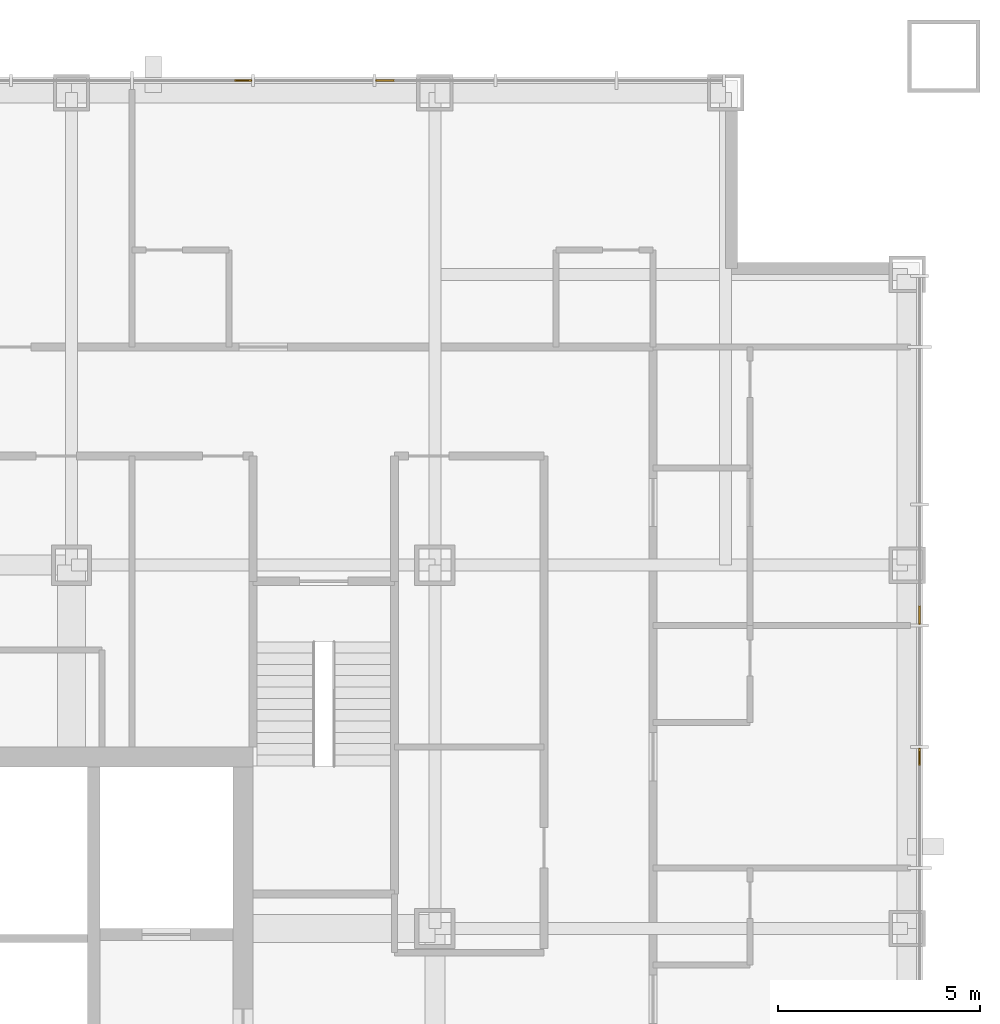
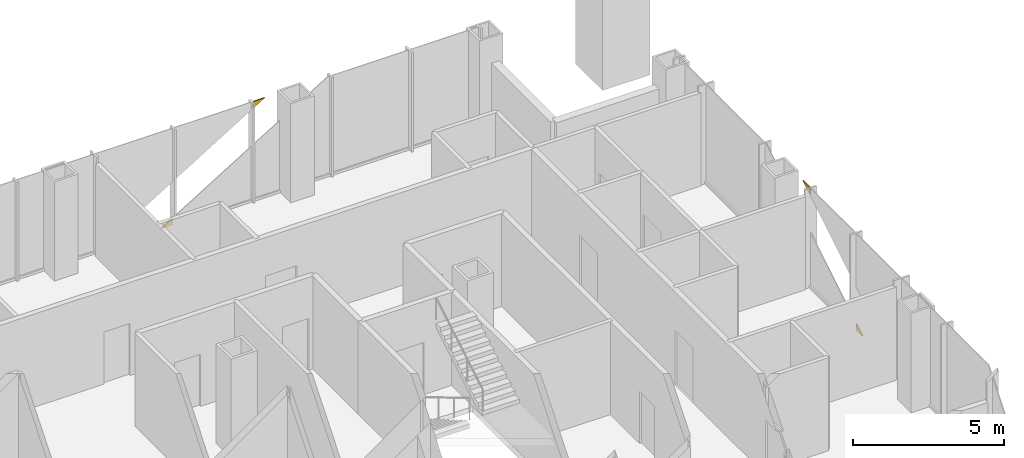
# One storey, part 17 of 17: 4 coverings.
"""IFC4 building model written with IfcOpenShell, lengths in metres."""

from ifc_helpers import new_model, si_unit, direction, frame, origin, place, context, subcontext, project, spatial, polyline, outline, extrude, material, layer, layer_set, type_object, element, save


model = new_model("IFC4")

# Units and contexts
model_context = context("Model", 3, precision=1e-05, world=origin(), true_north=direction((0.0, 1.0)))
body_context = subcontext(model_context, "Body", "Model", "MODEL_VIEW")
ifc_project = project(units=[si_unit("LENGTHUNIT", "METRE"), si_unit("AREAUNIT", "SQUARE_METRE"), si_unit("VOLUMEUNIT", "CUBIC_METRE"), si_unit("PLANEANGLEUNIT", "RADIAN"), si_unit("MASSUNIT", "GRAM", prefix="KILO")], contexts=[model_context])

# Site, building, storey
site_placement = place(None, origin())
site = spatial("IfcSite", under=ifc_project, at=site_placement, CompositionType="ELEMENT")
building_placement = place(site_placement, origin())
building = spatial("IfcBuilding", under=site, at=building_placement, Name="Malebo Sky Hospital", CompositionType="ELEMENT")
storey_placement = place(building_placement, frame((0.0, 0.0, 51.0)))
storey = spatial("IfcBuildingStorey", under=building, at=storey_placement, Name="L11", CompositionType="ELEMENT", Elevation=51.0)

# Coverings
ifc_material = material(Name="Anodised aluminium, natural silver insulated infill panel", Category="aluminium")
ifc_layer = layer(ifc_material, 0.0400390625)
ifc_layer_set = layer_set([ifc_layer], Name="BRACE INFILL PANEL 40")
covering_type = type_object("IfcCoveringType", Name="BRACE INFILL PANEL 40", PredefinedType="CLADDING", material=ifc_layer_set)
covering_1_placement = place(storey_placement, frame((68.75, 87.5, 0.10009765625), z_axis=(0.0, 0.0, 1.0), x_axis=(1.0, 0.0, 0.0)))
element("IfcCovering", 1, at=covering_1_placement, inside=storey, type_object=covering_type, Name="Brace infill panel 10.1", PredefinedType="CLADDING", context=body_context, shape_type="SweptSolid", body=[
    extrude(outline(polyline([(-0.212646484375, 0.0), (0.212646484375, 0.0), (0.212646484375, 0.2607421875), (-0.212646484375, 0.0)])), frame((0.0, 0.02001953125, 0.0), z_axis=(0.0, -1.0, 0.0), x_axis=(1.0, 0.0, 0.0)), (0.0, 0.0, 1.0), 0.0400390625),
])
covering_2_placement = place(storey_placement, frame((72.263427734375, 87.5, 3.713134765625), z_axis=(0.0, 0.0, 1.0), x_axis=(1.0, 0.0, 0.0)))
element("IfcCovering", 2, at=covering_2_placement, inside=storey, type_object=covering_type, Name="Brace infill panel 12.1", PredefinedType="CLADDING", context=body_context, shape_type="SweptSolid", body=[
    extrude(outline(polyline([(-0.225830078125, 0.0), (0.225830078125, 0.27685546875), (-0.225830078125, 0.27685546875), (-0.225830078125, 0.0)])), frame((0.0, 0.02001953125, 0.0), z_axis=(0.0, -1.0, 0.0), x_axis=(1.0, 0.0, 0.0)), (0.0, 0.0, 1.0), 0.0400390625),
])
covering_3_placement = place(storey_placement, frame((85.5, 74.263427734375, 3.713134765625), z_axis=(0.0, 0.0, 1.0), x_axis=(0.0, -1.0, 0.0)))
element("IfcCovering", 3, at=covering_3_placement, inside=storey, type_object=covering_type, Name="Brace infill panel 3.1", PredefinedType="CLADDING", context=body_context, shape_type="SweptSolid", body=[
    extrude(outline(polyline([(0.225830078125, 0.0), (0.225830078125, 0.27685546875), (-0.225830078125, 0.27685546875), (0.225830078125, 0.0)])), frame((0.0, 0.02001953125, 0.0), z_axis=(0.0, -1.0, 0.0), x_axis=(1.0, 0.0, 0.0)), (0.0, 0.0, 1.0), 0.0400390625),
])
covering_4_placement = place(storey_placement, frame((85.5, 70.75, 0.10009765625), z_axis=(0.0, 0.0, 1.0), x_axis=(0.0, -1.0, 0.0)))
element("IfcCovering", 4, at=covering_4_placement, inside=storey, type_object=covering_type, Name="Brace infill panel 5.1", PredefinedType="CLADDING", context=body_context, shape_type="SweptSolid", body=[
    extrude(outline(polyline([(-0.212646484375, 0.0), (0.212646484375, 0.0), (-0.212646484375, 0.2607421875), (-0.212646484375, 0.0)])), frame((0.0, 0.02001953125, 0.0), z_axis=(0.0, -1.0, 0.0), x_axis=(1.0, 0.0, 0.0)), (0.0, 0.0, 1.0), 0.0400390625),
])

save(model, "model.ifc")
